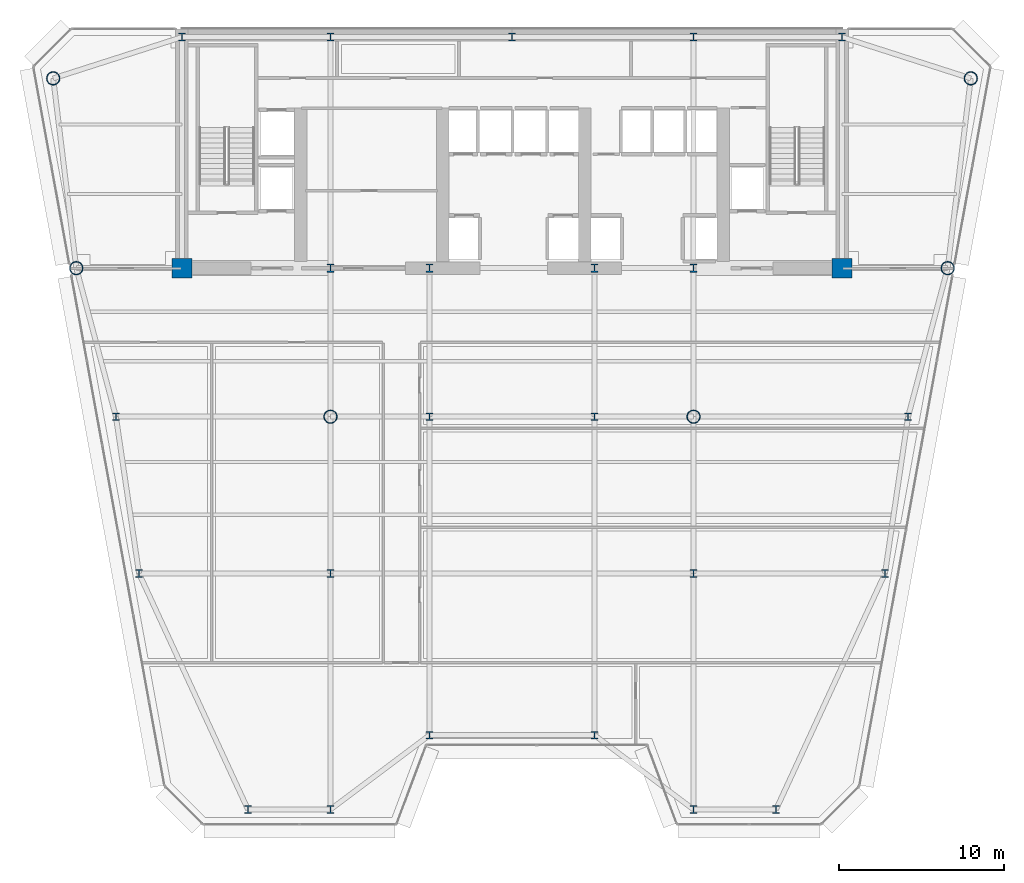
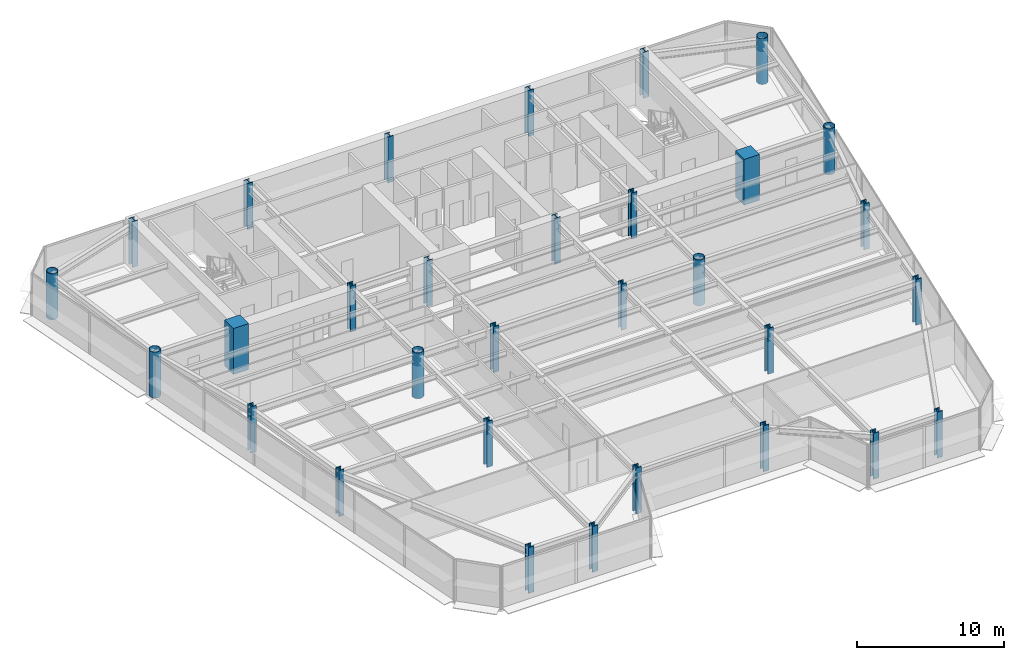
# One storey, part 1 of 17: 31 columns.
"""IFC4 building model written with IfcOpenShell, lengths in metres."""

from ifc_helpers import new_model, si_unit, direction, frame, origin, origin_2d, place, context, subcontext, project, spatial, rectangle, hollow_circle, i_section, extrude, source, transform, mapped, material, material_profile, profile_set, type_object, element, save


model = new_model("IFC4")

# Units and contexts
model_context = context("Model", 3, precision=1e-05, world=origin(), true_north=direction((0.0, 1.0)))
body_context = subcontext(model_context, "Body", "Model", "MODEL_VIEW")
ifc_project = project(units=[si_unit("LENGTHUNIT", "METRE"), si_unit("AREAUNIT", "SQUARE_METRE"), si_unit("VOLUMEUNIT", "CUBIC_METRE"), si_unit("PLANEANGLEUNIT", "RADIAN"), si_unit("MASSUNIT", "GRAM", prefix="KILO")], contexts=[model_context])

# Site, building, storey
site_placement = place(None, origin())
site = spatial("IfcSite", under=ifc_project, at=site_placement, CompositionType="ELEMENT")
building_placement = place(site_placement, origin())
building = spatial("IfcBuilding", under=site, at=building_placement, Name="Vaeldorn Concourse Tower", CompositionType="ELEMENT")
storey_placement = place(building_placement, frame((0.0, 0.0, 161.39990234375)))
storey = spatial("IfcBuildingStorey", under=building, at=storey_placement, Name="L41", CompositionType="ELEMENT", Elevation=161.39990234375)

# Columns
ifc_material_1 = material(Name="Concrete C50/60", Category="concrete")
ifc_material_profile_1 = material_profile(ifc_material_1, rectangle(XDim=1.199951171875, YDim=1.199951171875, at=origin_2d()), Name="RC 1200x1200")
ifc_profile_set_1 = profile_set([ifc_material_profile_1], Name="Concrete C50/60")
column_type_1 = type_object("IfcColumnType", Name="COL-RC1200", PredefinedType="COLUMN", material=ifc_profile_set_1)
shared_shape_1 = source(origin(), body_context, "Body", "SweptSolid", [
    extrude(rectangle(XDim=1.199951171875, YDim=1.199951171875, at=origin_2d()), origin(), (0.0, 0.0, 1.0), 3.800048828125),
])
for number, where, z_axis, x_axis, name in (
    (1, (14.0, 36.5, 0.0), (0.0, 0.0, 1.0), (1.0, 0.0, 0.0), "Column C-FC1 L41"),
    (2, (54.0, 36.5, 0.0), (0.0, 0.0, 1.0), (1.0, 0.0, 0.0), "Column C-FC6 L41"),
):
    element("IfcColumn", number, at=place(storey_placement, frame(where, z_axis=z_axis, x_axis=x_axis)), inside=storey, type_object=column_type_1, Name=name, PredefinedType="COLUMN", context=body_context, shape_type="MappedRepresentation", body=[
        mapped(shared_shape_1, transform((0.0, 0.0, 0.0), scale=1.0)),
    ])
ifc_material_2 = material(Name="Steel S460", Category="steel")
ifc_material_profile_2 = material_profile(ifc_material_2, i_section(OverallWidth=0.431884765625, OverallDepth=0.498046875, WebThickness=0.054931640625, FlangeThickness=0.068115234375, FilletRadius=0.014892578125, at=origin_2d()), Name="HD 400x744")
ifc_profile_set_2 = profile_set([ifc_material_profile_2], Name="Steel S460")
column_type_2 = type_object("IfcColumnType", Name="COL-HD744", PredefinedType="COLUMN", material=ifc_profile_set_2)
shared_shape_2 = source(origin(), body_context, "Body", "SweptSolid", [
    extrude(i_section(OverallWidth=0.431884765625, OverallDepth=0.498046875, WebThickness=0.054931640625, FlangeThickness=0.068115234375, FilletRadius=0.014892578125, at=origin_2d()), origin(), (0.0, 0.0, 1.0), 3.800048828125),
])
for number, where, z_axis, x_axis, name in (
    (3, (23.0, 36.5, 0.0), (0.0, 0.0, 1.0), (1.0, 0.0, 0.0), "Column C-FC2 L41"),
    (4, (29.0, 36.5, 0.0), (0.0, 0.0, 1.0), (1.0, 0.0, 0.0), "Column C-FC3 L41"),
    (5, (39.0, 36.5, 0.0), (0.0, 0.0, 1.0), (1.0, 0.0, 0.0), "Column C-FC4 L41"),
    (6, (45.0, 36.5, 0.0), (0.0, 0.0, 1.0), (1.0, 0.0, 0.0), "Column C-FC5 L41"),
    (7, (14.0, 50.5, 0.0), (0.0, 0.0, 1.0), (1.0, 0.0, 0.0), "Column C-HC1 L41"),
    (8, (23.0, 50.5, 0.0), (0.0, 0.0, 1.0), (1.0, 0.0, 0.0), "Column C-HC2 L41"),
    (9, (34.0, 50.5, 0.0), (0.0, 0.0, 1.0), (1.0, 0.0, 0.0), "Column C-HC3 L41"),
    (10, (45.0, 50.5, 0.0), (0.0, 0.0, 1.0), (1.0, 0.0, 0.0), "Column C-HC4 L41"),
    (11, (54.0, 50.5, 0.0), (0.0, 0.0, 1.0), (1.0, 0.0, 0.0), "Column C-HC5 L41"),
):
    element("IfcColumn", number, at=place(storey_placement, frame(where, z_axis=z_axis, x_axis=x_axis)), inside=storey, type_object=column_type_2, Name=name, PredefinedType="COLUMN", context=body_context, shape_type="MappedRepresentation", body=[
        mapped(shared_shape_2, transform((0.0, 0.0, 0.0), scale=1.0)),
    ])
ifc_material_profile_3 = material_profile(ifc_material_2, hollow_circle(Radius=0.406494140625, WallThickness=0.0400390625, at=origin_2d()), Name="CHS 813x40")
ifc_profile_set_3 = profile_set([ifc_material_profile_3], Name="Steel S460")
column_type_3 = type_object("IfcColumnType", Name="COL-CHS813", PredefinedType="COLUMN", material=ifc_profile_set_3)
shared_shape_3 = source(origin(), body_context, "Body", "SweptSolid", [
    extrude(hollow_circle(Radius=0.406494140625, WallThickness=0.0400390625, at=origin_2d()), origin(), (0.0, 0.0, 1.0), 3.800048828125),
])
for number, where, z_axis, x_axis, name in (
    (12, (6.199951171875, 48.0, 0.0), (0.0, 0.0, 1.0), (1.0, 0.0, 0.0), "Column C-NW1 L41"),
    (13, (7.60009765625, 36.5, 0.0), (0.0, 0.0, 1.0), (1.0, 0.0, 0.0), "Column C-NW2 L41"),
    (14, (61.800048828125, 48.0, 0.0), (0.0, 0.0, 1.0), (1.0, 0.0, 0.0), "Column C-NE1 L41"),
    (15, (60.39990234375, 36.5, 0.0), (0.0, 0.0, 1.0), (1.0, 0.0, 0.0), "Column C-NE2 L41"),
    (16, (23.0, 27.5, 0.0), (0.0, 0.0, 1.0), (1.0, 0.0, 0.0), "Column C-TW1 L41"),
    (17, (45.0, 27.5, 0.0), (0.0, 0.0, 1.0), (1.0, 0.0, 0.0), "Column C-TW4 L41"),
):
    element("IfcColumn", number, at=place(storey_placement, frame(where, z_axis=z_axis, x_axis=x_axis)), inside=storey, type_object=column_type_3, Name=name, PredefinedType="COLUMN", context=body_context, shape_type="MappedRepresentation", body=[
        mapped(shared_shape_3, transform((0.0, 0.0, 0.0), scale=1.0)),
    ])
ifc_material_profile_4 = material_profile(ifc_material_2, i_section(OverallWidth=0.424072265625, OverallDepth=0.47412109375, WebThickness=0.047119140625, FlangeThickness=0.06494140625, FilletRadius=0.014892578125, at=origin_2d()), Name="HD 400x634")
ifc_profile_set_4 = profile_set([ifc_material_profile_4], Name="Steel S460")
column_type_4 = type_object("IfcColumnType", Name="COL-HD634F", PredefinedType="COLUMN", material=ifc_profile_set_4)
shared_shape_4 = source(origin(), body_context, "Body", "SweptSolid", [
    extrude(i_section(OverallWidth=0.424072265625, OverallDepth=0.47412109375, WebThickness=0.047119140625, FlangeThickness=0.06494140625, FilletRadius=0.014892578125, at=origin_2d()), origin(), (0.0, 0.0, 1.0), 3.800048828125),
])
for number, where, z_axis, x_axis, name in (
    (18, (10.0, 27.5, 0.0), (0.0, 0.0, 1.0), (1.0, 0.0, 0.0), "Column C-FLW1 L41"),
    (19, (11.39990234375, 18.0, 0.0), (0.0, 0.0, 1.0), (1.0, 0.0, 0.0), "Column C-FLW2 L41"),
    (20, (58.0, 27.5, 0.0), (0.0, 0.0, 1.0), (1.0, 0.0, 0.0), "Column C-FLE1 L41"),
    (21, (56.60009765625, 18.0, 0.0), (0.0, 0.0, 1.0), (1.0, 0.0, 0.0), "Column C-FLE2 L41"),
):
    element("IfcColumn", number, at=place(storey_placement, frame(where, z_axis=z_axis, x_axis=x_axis)), inside=storey, type_object=column_type_4, Name=name, PredefinedType="COLUMN", context=body_context, shape_type="MappedRepresentation", body=[
        mapped(shared_shape_4, transform((0.0, 0.0, 0.0), scale=1.0)),
    ])
ifc_material_profile_5 = material_profile(ifc_material_2, i_section(OverallWidth=0.424072265625, OverallDepth=0.47412109375, WebThickness=0.047119140625, FlangeThickness=0.06494140625, FilletRadius=0.014892578125, at=origin_2d()), Name="HD 400x634")
ifc_profile_set_5 = profile_set([ifc_material_profile_5], Name="Steel S460")
column_type_5 = type_object("IfcColumnType", Name="COL-HD634T", PredefinedType="COLUMN", material=ifc_profile_set_5)
shared_shape_5 = source(origin(), body_context, "Body", "SweptSolid", [
    extrude(i_section(OverallWidth=0.424072265625, OverallDepth=0.47412109375, WebThickness=0.047119140625, FlangeThickness=0.06494140625, FilletRadius=0.014892578125, at=origin_2d()), origin(), (0.0, 0.0, 1.0), 3.800048828125),
])
for number, where, z_axis, x_axis, name in (
    (22, (29.0, 27.5, 0.0), (0.0, 0.0, 1.0), (1.0, 0.0, 0.0), "Column C-TW2 L41"),
    (23, (39.0, 27.5, 0.0), (0.0, 0.0, 1.0), (1.0, 0.0, 0.0), "Column C-TW3 L41"),
    (24, (23.0, 18.0, 0.0), (0.0, 0.0, 1.0), (1.0, 0.0, 0.0), "Column C-TW5 L41"),
    (25, (45.0, 18.0, 0.0), (0.0, 0.0, 1.0), (1.0, 0.0, 0.0), "Column C-TW6 L41"),
    (26, (18.0, 3.699951171875, 0.0), (0.0, 0.0, 1.0), (1.0, 0.0, 0.0), "Column C-SF1 L41"),
    (27, (23.0, 3.699951171875, 0.0), (0.0, 0.0, 1.0), (1.0, 0.0, 0.0), "Column C-SF2 L41"),
    (28, (29.0, 8.199951171875, 0.0), (0.0, 0.0, 1.0), (1.0, 0.0, 0.0), "Column C-SF3 L41"),
    (29, (39.0, 8.199951171875, 0.0), (0.0, 0.0, 1.0), (1.0, 0.0, 0.0), "Column C-SF4 L41"),
    (30, (45.0, 3.699951171875, 0.0), (0.0, 0.0, 1.0), (1.0, 0.0, 0.0), "Column C-SF5 L41"),
    (31, (50.0, 3.699951171875, 0.0), (0.0, 0.0, 1.0), (1.0, 0.0, 0.0), "Column C-SF6 L41"),
):
    element("IfcColumn", number, at=place(storey_placement, frame(where, z_axis=z_axis, x_axis=x_axis)), inside=storey, type_object=column_type_5, Name=name, PredefinedType="COLUMN", context=body_context, shape_type="MappedRepresentation", body=[
        mapped(shared_shape_5, transform((0.0, 0.0, 0.0), scale=1.0)),
    ])

save(model, "model.ifc")
